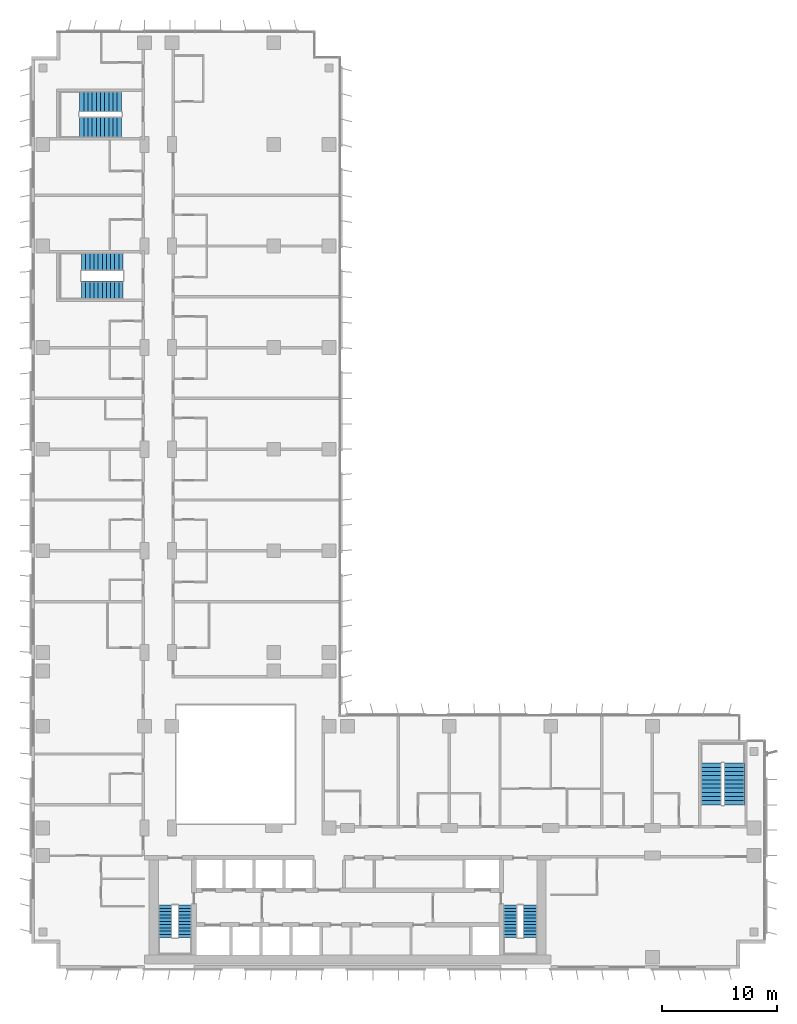
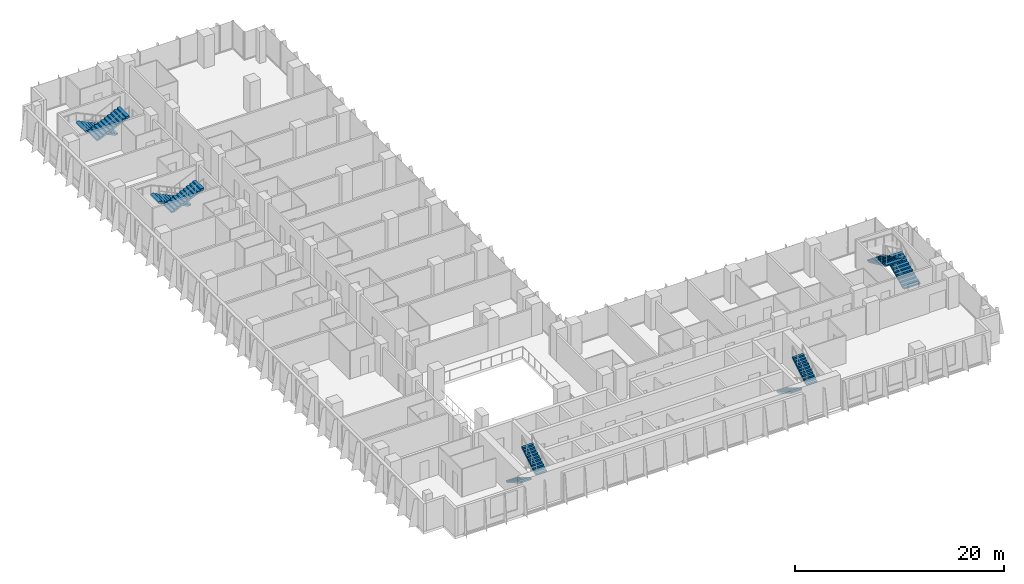
# One storey, part 18 of 22: 10 stair flights, 5 elements without a shape of their own.
"""IFC4 building model written with IfcOpenShell, lengths in metres."""

import ifcopenshell
import ifcopenshell.guid

model = None  # the IFC model being written
_history = None  # IfcOwnerHistory: only IFC2X3 demands one
_inside = {}  # id of a spatial element -> (the spatial element, [elements in it])
_under = {}  # id of a project, library or spatial element -> (it, [spatial elements below it])
_declared = {}  # id of a project -> (the project, [libraries it declares])
_typed = {}  # id of a type object -> (the type object, [elements of that type])
_made_of = {}  # id of a material, layer set ... -> (it, [elements and type objects made of it])


def new_model(schema):
    """Start an empty IFC model of exactly this schema.

    Asked for "IFC4X3", IfcOpenShell would pick the latest addendum, in which some entities
    have other attributes; the version numbers below select the first issue.
    IFC2X3 requires an IfcOwnerHistory on every rooted entity: one is made here for all.
    """
    global model, _history
    if schema == "IFC4X3":
        model = ifcopenshell.file(schema_version=(4, 3, 0, 0))
    else:
        model = ifcopenshell.file(schema=schema)
    _inside.clear()
    _under.clear()
    _declared.clear()
    _typed.clear()
    _made_of.clear()
    _history = None
    if model.schema == "IFC2X3":
        org = make("IfcOrganization", Name="unknown")
        user = make(
            "IfcPersonAndOrganization",
            ThePerson=make("IfcPerson", FamilyName="unknown"),
            TheOrganization=org,
        )
        app = make(
            "IfcApplication",
            ApplicationDeveloper=org,
            Version="unknown",
            ApplicationFullName="unknown",
            ApplicationIdentifier="unknown",
        )
        _history = make(
            "IfcOwnerHistory",
            OwningUser=user,
            OwningApplication=app,
            ChangeAction="ADDED",
            CreationDate=0,
        )
    return model


def make(cls, **values):
    """One entity of the class cls with the attributes given. An attribute that is None is left unset."""
    return model.create_entity(
        cls, **{name: value for name, value in values.items() if value is not None}
    )


def rooted(cls, **values):
    """An entity with a GlobalId (a new one), such as an element, a storey or a relation."""
    return make(cls, GlobalId=ifcopenshell.guid.new(), OwnerHistory=_history, **values)


def si_unit(unit_type, name, prefix=None):
    """IfcSIUnit, for example si_unit("LENGTHUNIT", "METRE", prefix="MILLI")."""
    return make("IfcSIUnit", UnitType=unit_type, Prefix=prefix, Name=name)


def assignment(units):
    """IfcUnitAssignment: the units of a project."""
    return None if units is None else make("IfcUnitAssignment", Units=units)


def point(xyz):
    """IfcCartesianPoint."""
    return None if xyz is None else make("IfcCartesianPoint", Coordinates=xyz)


def direction(xyz):
    """IfcDirection."""
    return None if xyz is None else make("IfcDirection", DirectionRatios=xyz)


def frame(location, z_axis=None, x_axis=None):
    """IfcAxis2Placement3D, a coordinate frame: its origin and axes. An axis left out is left unset."""
    return make(
        "IfcAxis2Placement3D",
        Location=point(location),
        Axis=direction(z_axis),
        RefDirection=direction(x_axis),
    )


def origin():
    """The frame at (0, 0, 0) with its axes left unset."""
    return frame((0.0, 0.0, 0.0))


def place(relative_to, where):
    """IfcLocalPlacement: puts the frame where relative to a parent placement (None: the world)."""
    return make(
        "IfcLocalPlacement", PlacementRelTo=relative_to, RelativePlacement=where
    )


def context(
    kind, dimensions, precision=None, world=None, true_north=None, identifier=None
):
    """IfcGeometricRepresentationContext, for example the 3D "Model" context."""
    return make(
        "IfcGeometricRepresentationContext",
        ContextIdentifier=identifier,
        ContextType=kind,
        CoordinateSpaceDimension=dimensions,
        Precision=precision,
        WorldCoordinateSystem=world,
        TrueNorth=true_north,
    )


def subcontext(parent, identifier, kind, view, scale=None):
    """IfcGeometricRepresentationSubContext, for example "Body" below "Model"."""
    return make(
        "IfcGeometricRepresentationSubContext",
        ContextIdentifier=identifier,
        ContextType=kind,
        ParentContext=parent,
        TargetScale=scale,
        TargetView=view,
    )


def project(units=None, contexts=None):
    """IfcProject with its units and contexts."""
    return rooted(
        "IfcProject",
        Name="project",
        RepresentationContexts=contexts,
        UnitsInContext=assignment(units),
    )


def spatial(cls, under=None, at=None, **own):
    """A site, building, storey or space (cls), placed at a placement, below another one or the project."""
    s = rooted(cls, ObjectPlacement=at, **own)
    if under is not None:
        _under.setdefault(under.id(), (under, []))[1].append(s)
    return s


def polyline(points):
    """IfcPolyline through the points."""
    return make("IfcPolyline", Points=[point(p) for p in points])


def outline(outer, holes=None, kind="AREA"):
    """IfcArbitraryClosedProfileDef: a profile drawn as a closed curve; with holes, ...WithVoids."""
    if holes is None:
        return make("IfcArbitraryClosedProfileDef", ProfileType=kind, OuterCurve=outer)
    return make(
        "IfcArbitraryProfileDefWithVoids",
        ProfileType=kind,
        OuterCurve=outer,
        InnerCurves=holes,
    )


def extrude(swept, where, along, depth):
    """IfcExtrudedAreaSolid: the profile swept, set in the frame where, extruded along a direction by depth."""
    return make(
        "IfcExtrudedAreaSolid",
        SweptArea=swept,
        Position=where,
        ExtrudedDirection=direction(along),
        Depth=depth,
    )


def shape(context_of_items, identifier, shape_type, items):
    """IfcShapeRepresentation: the items that make up one representation, for example the "Body"."""
    return make(
        "IfcShapeRepresentation",
        ContextOfItems=context_of_items,
        RepresentationIdentifier=identifier,
        RepresentationType=shape_type,
        Items=items,
    )


def material(Name=None, Category=None):
    """IfcMaterial."""
    return make("IfcMaterial", Name=Name, Category=Category)


def made_of(thing, what):
    """Note that an element or type object is made of a material, layer set ...; save() writes the relation."""
    if what is not None:
        _made_of.setdefault(what.id(), (what, []))[1].append(thing)
    return thing


def type_object(cls, material=None, **own):
    """A type object (cls), such as IfcWallType, which elements share."""
    return made_of(rooted(cls, **own), material)


def element(
    cls,
    number,
    at=None,
    inside=None,
    cuts=None,
    type_object=None,
    material=None,
    context=None,
    identifier="Body",
    shape_type=None,
    held_by="IfcProductDefinitionShape",
    body=None,
    shapes=None,
    **own,
):
    """One element of the class cls, such as IfcWall. Its Tag is "e" and its number.

    at: its placement. inside: the storey or other place that contains it. cuts: it is an
    opening in that element (IfcRelVoidsElement). A single representation is given by context,
    identifier, shape_type and body (its items); several are given by shapes. held_by: the class
    of the entity that holds the representations. save() writes the other relations.
    """
    e = rooted(cls, Tag="e%d" % number, ObjectPlacement=at, **own)
    if body is not None:
        shapes = [shape(context, identifier, shape_type, body)]
    if shapes is not None:
        e.Representation = make(held_by, Representations=shapes)
    if inside is not None:
        _inside.setdefault(inside.id(), (inside, []))[1].append(e)
    if cuts is not None:
        rooted(
            "IfcRelVoidsElement", RelatingBuildingElement=cuts, RelatedOpeningElement=e
        )
    if type_object is not None:
        _typed.setdefault(type_object.id(), (type_object, []))[1].append(e)
    return made_of(e, material)


def aggregate(whole, parts):
    """IfcRelAggregates: a whole, such as a stair, and the parts it consists of."""
    return rooted("IfcRelAggregates", RelatingObject=whole, RelatedObjects=parts)


def save(model, path):
    """Write the relations noted so far, then the file.

    IfcRelAggregates (storeys below a building ...), IfcRelContainedInSpatialStructure (elements
    in a storey), IfcRelDefinesByType, IfcRelAssociatesMaterial and IfcRelDeclares: one each for
    every whole, place, type object, material and project.
    """
    for whole, parts in _under.values():
        aggregate(whole, parts)
    for where, things in _inside.values():
        rooted(
            "IfcRelContainedInSpatialStructure",
            RelatedElements=things,
            RelatingStructure=where,
        )
    for kind, things in _typed.values():
        rooted("IfcRelDefinesByType", RelatedObjects=things, RelatingType=kind)
    for what, things in _made_of.values():
        rooted("IfcRelAssociatesMaterial", RelatedObjects=things, RelatingMaterial=what)
    for by, libraries in _declared.values():
        rooted("IfcRelDeclares", RelatingContext=by, RelatedDefinitions=libraries)
    model.write(path)


model = new_model("IFC4")

# Units and contexts
model_context = context("Model", 3, precision=1e-05, world=origin(), true_north=direction((0.0, 1.0)))
body_context = subcontext(model_context, "Body", "Model", "MODEL_VIEW")
ifc_project = project(units=[si_unit("LENGTHUNIT", "METRE"), si_unit("AREAUNIT", "SQUARE_METRE"), si_unit("VOLUMEUNIT", "CUBIC_METRE"), si_unit("PLANEANGLEUNIT", "RADIAN"), si_unit("MASSUNIT", "GRAM", prefix="KILO")], contexts=[model_context])

# Site, building, storey
site_placement = place(None, origin())
site = spatial("IfcSite", under=ifc_project, at=site_placement, CompositionType="ELEMENT")
building_placement = place(site_placement, origin())
building = spatial("IfcBuilding", under=site, at=building_placement, Name="Kemantara Hotel Tower", CompositionType="ELEMENT")
storey_placement = place(building_placement, frame((0.0, 0.0, 129.60009765625)))
storey = spatial("IfcBuildingStorey", under=building, at=storey_placement, Name="L31", CompositionType="ELEMENT", Elevation=129.60009765625)

# Stair, stair flights
ifc_material = material(Name="Concrete fc 40 MPa", Category="concrete")
stair_type_1 = type_object("IfcStairType", Name="Stair 1200 wide 22 risers of 168 x 280 mm", PredefinedType="HALF_TURN_STAIR", material=ifc_material)
stair_1_placement = place(storey_placement, origin())
stair_1 = element("IfcStair", 1, at=stair_1_placement, inside=storey, type_object=stair_type_1, Name="L31 Exit stair ST1", PredefinedType="HALF_TURN_STAIR")
stair_flight_type_1 = type_object("IfcStairFlightType", Name="Stair flight 1200 wide 168 x 280 mm", PredefinedType="STRAIGHT", material=ifc_material)
stair_flight_1_placement = place(storey_placement, frame((11.60009765625, 5.5, 0.0), z_axis=(0.0, 0.0, 1.0), x_axis=(0.0, -1.0, 0.0)))
stair_flight_1 = element("IfcStairFlight", 2, at=stair_flight_1_placement, type_object=stair_flight_type_1, Name="ST1 flight 1", NumberOfRisers=11, NumberOfTreads=10, PredefinedType="STRAIGHT", RiserHeight=0.168181818, TreadLength=0.28, context=body_context, shape_type="SweptSolid", body=[
    extrude(outline(polyline([(0.0, 0.0), (0.0, 0.168212890625), (0.280029296875, 0.168212890625), (0.280029296875, 0.33642578125), (0.56005859375, 0.33642578125), (0.56005859375, 0.504638671875), (0.840087890625, 0.504638671875), (0.840087890625, 0.672607421875), (1.1201171875, 0.672607421875), (1.1201171875, 0.8408203125), (1.39990234375, 0.8408203125), (1.39990234375, 1.009033203125), (1.679931640625, 1.009033203125), (1.679931640625, 1.17724609375), (1.9599609375, 1.17724609375), (1.9599609375, 1.345458984375), (2.239990234375, 1.345458984375), (2.239990234375, 1.513671875), (2.52001953125, 1.513671875), (2.52001953125, 1.681884765625), (2.800048828125, 1.681884765625), (2.800048828125, 1.85009765625), (2.800048828125, 1.5068359375), (0.291015625, 0.0), (0.0, 0.0)])), frame((0.0, 0.60009765625, 0.0), z_axis=(0.0, -1.0, 0.0), x_axis=(1.0, 0.0, 0.0)), (0.0, 0.0, 1.0), 1.199951171875),
])
stair_flight_2_placement = place(storey_placement, frame((13.300048828125, 2.699951171875, 1.849853515625), z_axis=(0.0, 0.0, 1.0), x_axis=(0.0, 1.0, 0.0)))
stair_flight_2 = element("IfcStairFlight", 3, at=stair_flight_2_placement, type_object=stair_flight_type_1, Name="ST1 flight 2", NumberOfRisers=11, NumberOfTreads=10, PredefinedType="STRAIGHT", RiserHeight=0.168181818, TreadLength=0.28, context=body_context, shape_type="SweptSolid", body=[
    extrude(outline(polyline([(0.0, 0.0), (0.0, 0.168212890625), (0.280029296875, 0.168212890625), (0.280029296875, 0.33642578125), (0.56005859375, 0.33642578125), (0.56005859375, 0.504638671875), (0.840087890625, 0.504638671875), (0.840087890625, 0.672607421875), (1.1201171875, 0.672607421875), (1.1201171875, 0.8408203125), (1.39990234375, 0.8408203125), (1.39990234375, 1.009033203125), (1.679931640625, 1.009033203125), (1.679931640625, 1.17724609375), (1.9599609375, 1.17724609375), (1.9599609375, 1.345458984375), (2.239990234375, 1.345458984375), (2.239990234375, 1.513671875), (2.52001953125, 1.513671875), (2.52001953125, 1.681884765625), (2.800048828125, 1.681884765625), (2.800048828125, 1.85009765625), (2.800048828125, 1.5068359375), (0.291015625, 0.0), (0.0, 0.0)])), frame((0.0, 0.60009765625, 0.0), z_axis=(0.0, -1.0, 0.0), x_axis=(1.0, 0.0, 0.0)), (0.0, 0.0, 1.0), 1.199951171875),
])
aggregate(stair_1, [stair_flight_1, stair_flight_2])

stair_2_placement = place(storey_placement, origin())
stair_2 = element("IfcStair", 4, at=stair_2_placement, inside=storey, type_object=stair_type_1, Name="L31 Exit stair ST2", PredefinedType="HALF_TURN_STAIR")
stair_flight_3_placement = place(storey_placement, frame((41.5, 5.5, 0.0), z_axis=(0.0, 0.0, 1.0), x_axis=(0.0, -1.0, 0.0)))
stair_flight_3 = element("IfcStairFlight", 5, at=stair_flight_3_placement, type_object=stair_flight_type_1, Name="ST2 flight 1", NumberOfRisers=11, NumberOfTreads=10, PredefinedType="STRAIGHT", RiserHeight=0.168181818, TreadLength=0.28, context=body_context, shape_type="SweptSolid", body=[
    extrude(outline(polyline([(0.0, 0.0), (0.0, 0.168212890625), (0.280029296875, 0.168212890625), (0.280029296875, 0.33642578125), (0.56005859375, 0.33642578125), (0.56005859375, 0.504638671875), (0.840087890625, 0.504638671875), (0.840087890625, 0.672607421875), (1.1201171875, 0.672607421875), (1.1201171875, 0.8408203125), (1.39990234375, 0.8408203125), (1.39990234375, 1.009033203125), (1.679931640625, 1.009033203125), (1.679931640625, 1.17724609375), (1.9599609375, 1.17724609375), (1.9599609375, 1.345458984375), (2.239990234375, 1.345458984375), (2.239990234375, 1.513671875), (2.52001953125, 1.513671875), (2.52001953125, 1.681884765625), (2.800048828125, 1.681884765625), (2.800048828125, 1.85009765625), (2.800048828125, 1.5068359375), (0.291015625, 0.0), (0.0, 0.0)])), frame((0.0, 0.60009765625, 0.0), z_axis=(0.0, -1.0, 0.0), x_axis=(1.0, 0.0, 0.0)), (0.0, 0.0, 1.0), 1.199951171875),
])
stair_flight_4_placement = place(storey_placement, frame((43.199951171875, 2.699951171875, 1.849853515625), z_axis=(0.0, 0.0, 1.0), x_axis=(0.0, 1.0, 0.0)))
stair_flight_4 = element("IfcStairFlight", 6, at=stair_flight_4_placement, type_object=stair_flight_type_1, Name="ST2 flight 2", NumberOfRisers=11, NumberOfTreads=10, PredefinedType="STRAIGHT", RiserHeight=0.168181818, TreadLength=0.28, context=body_context, shape_type="SweptSolid", body=[
    extrude(outline(polyline([(0.0, 0.0), (0.0, 0.168212890625), (0.280029296875, 0.168212890625), (0.280029296875, 0.33642578125), (0.56005859375, 0.33642578125), (0.56005859375, 0.504638671875), (0.840087890625, 0.504638671875), (0.840087890625, 0.672607421875), (1.1201171875, 0.672607421875), (1.1201171875, 0.8408203125), (1.39990234375, 0.8408203125), (1.39990234375, 1.009033203125), (1.679931640625, 1.009033203125), (1.679931640625, 1.17724609375), (1.9599609375, 1.17724609375), (1.9599609375, 1.345458984375), (2.239990234375, 1.345458984375), (2.239990234375, 1.513671875), (2.52001953125, 1.513671875), (2.52001953125, 1.681884765625), (2.800048828125, 1.681884765625), (2.800048828125, 1.85009765625), (2.800048828125, 1.5068359375), (0.291015625, 0.0), (0.0, 0.0)])), frame((0.0, 0.60009765625, 0.0), z_axis=(0.0, -1.0, 0.0), x_axis=(1.0, 0.0, 0.0)), (0.0, 0.0, 1.0), 1.199951171875),
])
aggregate(stair_2, [stair_flight_3, stair_flight_4])

stair_type_2 = type_object("IfcStairType", Name="Stair 1550 wide 22 risers of 168 x 360 mm", PredefinedType="HALF_TURN_STAIR", material=ifc_material)
stair_3_placement = place(storey_placement, origin())
stair_3 = element("IfcStair", 7, at=stair_3_placement, inside=storey, type_object=stair_type_2, Name="L31 Exit stair ST4", PredefinedType="HALF_TURN_STAIR")
stair_flight_type_2 = type_object("IfcStairFlightType", Name="Stair flight 1550 wide 168 x 360 mm", PredefinedType="STRAIGHT", material=ifc_material)
stair_flight_5_placement = place(storey_placement, frame((7.949951171875, 61.22509765625, 0.0), z_axis=(0.0, 0.0, 1.0), x_axis=(-1.0, 0.0, 0.0)))
stair_flight_5 = element("IfcStairFlight", 8, at=stair_flight_5_placement, type_object=stair_flight_type_2, Name="ST4 flight 1", NumberOfRisers=11, NumberOfTreads=10, PredefinedType="STRAIGHT", RiserHeight=0.168181818, TreadLength=0.36, context=body_context, shape_type="SweptSolid", body=[
    extrude(outline(polyline([(0.0, 0.0), (0.0, 0.168212890625), (0.360107421875, 0.168212890625), (0.360107421875, 0.33642578125), (0.719970703125, 0.33642578125), (0.719970703125, 0.504638671875), (1.080078125, 0.504638671875), (1.080078125, 0.672607421875), (1.43994140625, 0.672607421875), (1.43994140625, 0.8408203125), (1.800048828125, 0.8408203125), (1.800048828125, 1.009033203125), (2.159912109375, 1.009033203125), (2.159912109375, 1.17724609375), (2.52001953125, 1.17724609375), (2.52001953125, 1.345458984375), (2.8798828125, 1.345458984375), (2.8798828125, 1.513671875), (3.239990234375, 1.513671875), (3.239990234375, 1.681884765625), (3.60009765625, 1.681884765625), (3.60009765625, 1.85009765625), (3.60009765625, 1.516357421875), (0.354248046875, 0.0), (0.0, 0.0)])), frame((0.0, 0.77490234375, 0.0), z_axis=(0.0, -1.0, 0.0), x_axis=(1.0, 0.0, 0.0)), (0.0, 0.0, 1.0), 1.550048828125),
])
stair_flight_6_placement = place(storey_placement, frame((4.35009765625, 58.77490234375, 1.849853515625), z_axis=(0.0, 0.0, 1.0), x_axis=(1.0, 0.0, 0.0)))
stair_flight_6 = element("IfcStairFlight", 9, at=stair_flight_6_placement, type_object=stair_flight_type_2, Name="ST4 flight 2", NumberOfRisers=11, NumberOfTreads=10, PredefinedType="STRAIGHT", RiserHeight=0.168181818, TreadLength=0.36, context=body_context, shape_type="SweptSolid", body=[
    extrude(outline(polyline([(0.0, 0.0), (0.0, 0.168212890625), (0.360107421875, 0.168212890625), (0.360107421875, 0.33642578125), (0.719970703125, 0.33642578125), (0.719970703125, 0.504638671875), (1.080078125, 0.504638671875), (1.080078125, 0.672607421875), (1.43994140625, 0.672607421875), (1.43994140625, 0.8408203125), (1.800048828125, 0.8408203125), (1.800048828125, 1.009033203125), (2.159912109375, 1.009033203125), (2.159912109375, 1.17724609375), (2.52001953125, 1.17724609375), (2.52001953125, 1.345458984375), (2.8798828125, 1.345458984375), (2.8798828125, 1.513671875), (3.239990234375, 1.513671875), (3.239990234375, 1.681884765625), (3.60009765625, 1.681884765625), (3.60009765625, 1.85009765625), (3.60009765625, 1.516357421875), (0.354248046875, 0.0), (0.0, 0.0)])), frame((0.0, 0.77490234375, 0.0), z_axis=(0.0, -1.0, 0.0), x_axis=(1.0, 0.0, 0.0)), (0.0, 0.0, 1.0), 1.550048828125),
])
aggregate(stair_3, [stair_flight_5, stair_flight_6])

stair_type_3 = type_object("IfcStairType", Name="Stair 1800 wide 22 risers of 168 x 360 mm", PredefinedType="HALF_TURN_STAIR", material=ifc_material)
stair_4_placement = place(storey_placement, origin())
stair_4 = element("IfcStair", 10, at=stair_4_placement, inside=storey, type_object=stair_type_3, Name="L31 Exit stair ST3", PredefinedType="HALF_TURN_STAIR")
stair_flight_type_3 = type_object("IfcStairFlightType", Name="Stair flight 1800 wide 168 x 360 mm", PredefinedType="STRAIGHT", material=ifc_material)
stair_flight_7_placement = place(storey_placement, frame((60.89990234375, 14.199951171875, 0.0), z_axis=(0.0, 0.0, 1.0), x_axis=(0.0, 1.0, 0.0)))
stair_flight_7 = element("IfcStairFlight", 11, at=stair_flight_7_placement, type_object=stair_flight_type_3, Name="ST3 flight 1", NumberOfRisers=11, NumberOfTreads=10, PredefinedType="STRAIGHT", RiserHeight=0.168181818, TreadLength=0.36, context=body_context, shape_type="SweptSolid", body=[
    extrude(outline(polyline([(0.0, 0.0), (0.0, 0.168212890625), (0.360107421875, 0.168212890625), (0.360107421875, 0.33642578125), (0.719970703125, 0.33642578125), (0.719970703125, 0.504638671875), (1.080078125, 0.504638671875), (1.080078125, 0.672607421875), (1.43994140625, 0.672607421875), (1.43994140625, 0.8408203125), (1.800048828125, 0.8408203125), (1.800048828125, 1.009033203125), (2.159912109375, 1.009033203125), (2.159912109375, 1.17724609375), (2.52001953125, 1.17724609375), (2.52001953125, 1.345458984375), (2.8798828125, 1.345458984375), (2.8798828125, 1.513671875), (3.239990234375, 1.513671875), (3.239990234375, 1.681884765625), (3.60009765625, 1.681884765625), (3.60009765625, 1.85009765625), (3.60009765625, 1.516357421875), (0.354248046875, 0.0), (0.0, 0.0)])), frame((0.0, 0.89990234375, 0.0), z_axis=(0.0, -1.0, 0.0), x_axis=(1.0, 0.0, 0.0)), (0.0, 0.0, 1.0), 1.800048828125),
])
stair_flight_8_placement = place(storey_placement, frame((58.89990234375, 17.800048828125, 1.849853515625), z_axis=(0.0, 0.0, 1.0), x_axis=(0.0, -1.0, 0.0)))
stair_flight_8 = element("IfcStairFlight", 12, at=stair_flight_8_placement, type_object=stair_flight_type_3, Name="ST3 flight 2", NumberOfRisers=11, NumberOfTreads=10, PredefinedType="STRAIGHT", RiserHeight=0.168181818, TreadLength=0.36, context=body_context, shape_type="SweptSolid", body=[
    extrude(outline(polyline([(0.0, 0.0), (0.0, 0.168212890625), (0.360107421875, 0.168212890625), (0.360107421875, 0.33642578125), (0.719970703125, 0.33642578125), (0.719970703125, 0.504638671875), (1.080078125, 0.504638671875), (1.080078125, 0.672607421875), (1.43994140625, 0.672607421875), (1.43994140625, 0.8408203125), (1.800048828125, 0.8408203125), (1.800048828125, 1.009033203125), (2.159912109375, 1.009033203125), (2.159912109375, 1.17724609375), (2.52001953125, 1.17724609375), (2.52001953125, 1.345458984375), (2.8798828125, 1.345458984375), (2.8798828125, 1.513671875), (3.239990234375, 1.513671875), (3.239990234375, 1.681884765625), (3.60009765625, 1.681884765625), (3.60009765625, 1.85009765625), (3.60009765625, 1.516357421875), (0.354248046875, 0.0), (0.0, 0.0)])), frame((0.0, 0.89990234375, 0.0), z_axis=(0.0, -1.0, 0.0), x_axis=(1.0, 0.0, 0.0)), (0.0, 0.0, 1.0), 1.800048828125),
])
aggregate(stair_4, [stair_flight_7, stair_flight_8])

stair_5_placement = place(storey_placement, origin())
stair_5 = element("IfcStair", 13, at=stair_5_placement, inside=storey, type_object=stair_type_3, Name="L31 Exit stair ST6", PredefinedType="HALF_TURN_STAIR")
stair_flight_9_placement = place(storey_placement, frame((7.800048828125, 75.10009765625, 0.0), z_axis=(0.0, 0.0, 1.0), x_axis=(-1.0, 0.0, 0.0)))
stair_flight_9 = element("IfcStairFlight", 14, at=stair_flight_9_placement, type_object=stair_flight_type_3, Name="ST6 flight 1", NumberOfRisers=11, NumberOfTreads=10, PredefinedType="STRAIGHT", RiserHeight=0.168181818, TreadLength=0.36, context=body_context, shape_type="SweptSolid", body=[
    extrude(outline(polyline([(0.0, 0.0), (0.0, 0.168212890625), (0.360107421875, 0.168212890625), (0.360107421875, 0.33642578125), (0.719970703125, 0.33642578125), (0.719970703125, 0.504638671875), (1.080078125, 0.504638671875), (1.080078125, 0.672607421875), (1.43994140625, 0.672607421875), (1.43994140625, 0.8408203125), (1.800048828125, 0.8408203125), (1.800048828125, 1.009033203125), (2.159912109375, 1.009033203125), (2.159912109375, 1.17724609375), (2.52001953125, 1.17724609375), (2.52001953125, 1.345458984375), (2.8798828125, 1.345458984375), (2.8798828125, 1.513671875), (3.239990234375, 1.513671875), (3.239990234375, 1.681884765625), (3.60009765625, 1.681884765625), (3.60009765625, 1.85009765625), (3.60009765625, 1.516357421875), (0.354248046875, 0.0), (0.0, 0.0)])), frame((0.0, 0.89990234375, 0.0), z_axis=(0.0, -1.0, 0.0), x_axis=(1.0, 0.0, 0.0)), (0.0, 0.0, 1.0), 1.800048828125),
])
stair_flight_10_placement = place(storey_placement, frame((4.199951171875, 72.89990234375, 1.849853515625), z_axis=(0.0, 0.0, 1.0), x_axis=(1.0, 0.0, 0.0)))
stair_flight_10 = element("IfcStairFlight", 15, at=stair_flight_10_placement, type_object=stair_flight_type_3, Name="ST6 flight 2", NumberOfRisers=11, NumberOfTreads=10, PredefinedType="STRAIGHT", RiserHeight=0.168181818, TreadLength=0.36, context=body_context, shape_type="SweptSolid", body=[
    extrude(outline(polyline([(0.0, 0.0), (0.0, 0.168212890625), (0.360107421875, 0.168212890625), (0.360107421875, 0.33642578125), (0.719970703125, 0.33642578125), (0.719970703125, 0.504638671875), (1.080078125, 0.504638671875), (1.080078125, 0.672607421875), (1.43994140625, 0.672607421875), (1.43994140625, 0.8408203125), (1.800048828125, 0.8408203125), (1.800048828125, 1.009033203125), (2.159912109375, 1.009033203125), (2.159912109375, 1.17724609375), (2.52001953125, 1.17724609375), (2.52001953125, 1.345458984375), (2.8798828125, 1.345458984375), (2.8798828125, 1.513671875), (3.239990234375, 1.513671875), (3.239990234375, 1.681884765625), (3.60009765625, 1.681884765625), (3.60009765625, 1.85009765625), (3.60009765625, 1.516357421875), (0.354248046875, 0.0), (0.0, 0.0)])), frame((0.0, 0.89990234375, 0.0), z_axis=(0.0, -1.0, 0.0), x_axis=(1.0, 0.0, 0.0)), (0.0, 0.0, 1.0), 1.800048828125),
])
aggregate(stair_5, [stair_flight_9, stair_flight_10])

save(model, "model.ifc")
